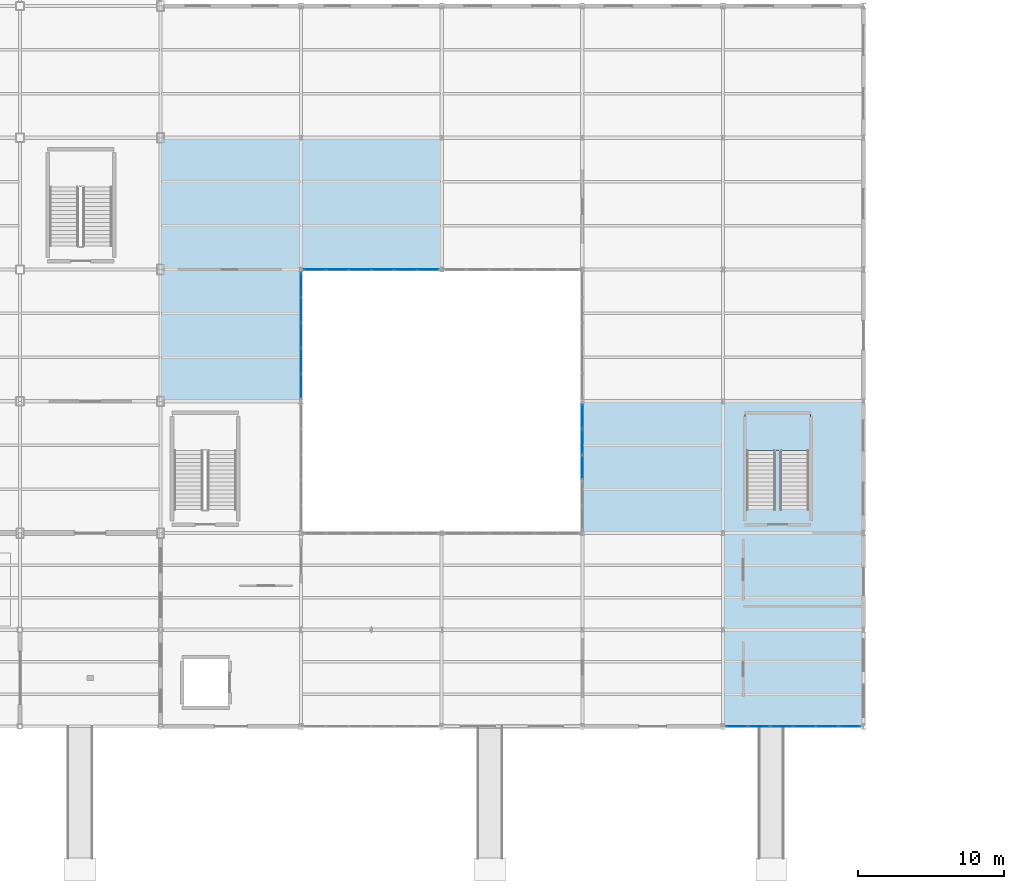
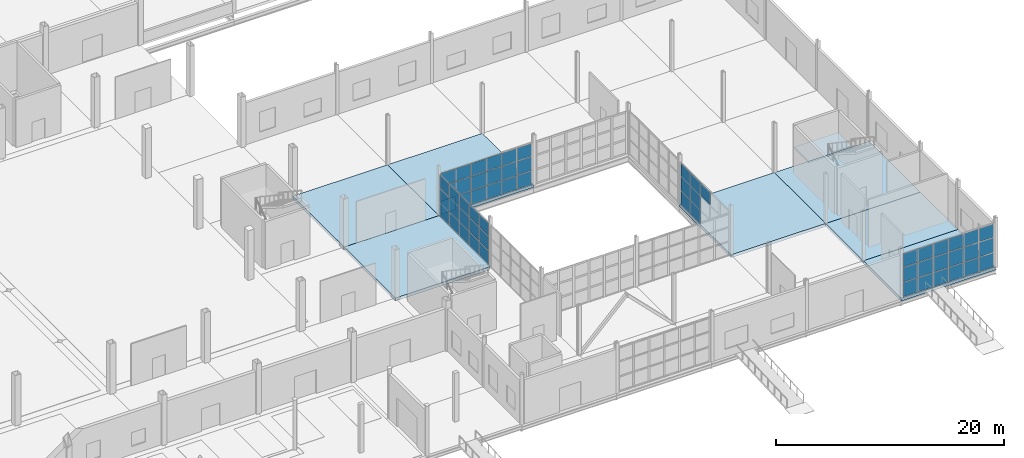
# One storey, part 52 of 85: 58 plates, 8 slabs, 5 elements without a shape of their own.
"""IFC4 building model written with IfcOpenShell, lengths in metres."""

from ifc_helpers import new_model, si_unit, direction, frame, origin, origin_2d, place, context, subcontext, project, spatial, polyline, rectangle, outline, extrude, material, layer, layer_set, type_object, element, aggregate, save


model = new_model("IFC4")

# Units and contexts
model_context = context("Model", 3, precision=1e-05, world=origin(), true_north=direction((0.0, 1.0)))
body_context = subcontext(model_context, "Body", "Model", "MODEL_VIEW")
ifc_project = project(units=[si_unit("LENGTHUNIT", "METRE"), si_unit("AREAUNIT", "SQUARE_METRE"), si_unit("VOLUMEUNIT", "CUBIC_METRE"), si_unit("PLANEANGLEUNIT", "RADIAN"), si_unit("MASSUNIT", "GRAM", prefix="KILO")], contexts=[model_context])

# Site, building, storey
site_placement = place(None, origin())
site = spatial("IfcSite", under=ifc_project, at=site_placement, CompositionType="ELEMENT")
building_placement = place(site_placement, origin())
building = spatial("IfcBuilding", under=site, at=building_placement, Name="Zarnetskaya Central Station", CompositionType="ELEMENT")
storey_placement = place(building_placement, origin())
storey = spatial("IfcBuildingStorey", under=building, at=storey_placement, Name="L00", CompositionType="ELEMENT", Elevation=0.0)

# Curtain wall, plates
ifc_material_1 = material(Name="Low-E insulated glass", Category="glass")
ifc_layer_1 = layer(ifc_material_1, 0.172119140625, Name="Low-E insulated glass", Category="glass")
ifc_layer_set_1 = layer_set([ifc_layer_1], Name="Low-E insulated glass")
curtain_wall_type = type_object("IfcCurtainWallType", Name="CW-SYS-04", PredefinedType="USERDEFINED", material=ifc_layer_set_1)
curtain_wall_1_placement = place(storey_placement, origin())
curtain_wall_1 = element("IfcCurtainWall", 1, at=curtain_wall_1_placement, inside=storey, type_object=curtain_wall_type, Name="Curtain wall CW-L00-100", ObjectType="CURTAIN WALL", PredefinedType="USERDEFINED")
ifc_layer_2 = layer(ifc_material_1, 0.028076171875, Name="Low-E insulated glass", Category="glass")
ifc_layer_set_2 = layer_set([ifc_layer_2], Name="Low-E insulated glass")
plate_type_1 = type_object("IfcPlateType", Name="CW-PAN-28", PredefinedType="CURTAIN_PANEL", material=ifc_layer_set_2)
plate_1_placement = place(storey_placement, frame((171.85498046875, 0.0, 0.080078125), z_axis=(0.0, 0.0, 1.0), x_axis=(-1.0, 0.0, 0.0)))
plate_1 = element("IfcPlate", 2, at=plate_1_placement, type_object=plate_type_1, Name="CW-15 panel 1.1", PredefinedType="CURTAIN_PANEL", context=body_context, shape_type="SweptSolid", body=[
    extrude(rectangle(XDim=1.429931640625, YDim=0.028076171875, at=origin_2d()), origin(), (0.0, 0.0, 1.0), 1.498046875),
])
plate_2_placement = place(storey_placement, frame((171.85498046875, 0.0, 1.657958984375), z_axis=(0.0, 0.0, 1.0), x_axis=(-1.0, 0.0, 0.0)))
plate_2 = element("IfcPlate", 3, at=plate_2_placement, type_object=plate_type_1, Name="CW-15 panel 1.2", PredefinedType="CURTAIN_PANEL", context=body_context, shape_type="SweptSolid", body=[
    extrude(rectangle(XDim=1.429931640625, YDim=0.028076171875, at=origin_2d()), origin(), (0.0, 0.0, 1.0), 1.5390625),
])
plate_3_placement = place(storey_placement, frame((171.85498046875, 0.0, 3.27685546875), z_axis=(0.0, 0.0, 1.0), x_axis=(-1.0, 0.0, 0.0)))
plate_3 = element("IfcPlate", 4, at=plate_3_placement, type_object=plate_type_1, Name="CW-15 panel 1.3", PredefinedType="CURTAIN_PANEL", context=body_context, shape_type="SweptSolid", body=[
    extrude(rectangle(XDim=1.429931640625, YDim=0.028076171875, at=origin_2d()), origin(), (0.0, 0.0, 1.0), 1.403076171875),
])
plate_4_placement = place(storey_placement, frame((170.324951171875, 0.0, 0.080078125), z_axis=(0.0, 0.0, 1.0), x_axis=(-1.0, 0.0, 0.0)))
plate_4 = element("IfcPlate", 5, at=plate_4_placement, type_object=plate_type_1, Name="CW-15 panel 2.1", PredefinedType="CURTAIN_PANEL", context=body_context, shape_type="SweptSolid", body=[
    extrude(rectangle(XDim=1.469970703125, YDim=0.028076171875, at=origin_2d()), origin(), (0.0, 0.0, 1.0), 1.498046875),
])
plate_5_placement = place(storey_placement, frame((170.324951171875, 0.0, 1.657958984375), z_axis=(0.0, 0.0, 1.0), x_axis=(-1.0, 0.0, 0.0)))
plate_5 = element("IfcPlate", 6, at=plate_5_placement, type_object=plate_type_1, Name="CW-15 panel 2.2", PredefinedType="CURTAIN_PANEL", context=body_context, shape_type="SweptSolid", body=[
    extrude(rectangle(XDim=1.469970703125, YDim=0.028076171875, at=origin_2d()), origin(), (0.0, 0.0, 1.0), 1.5390625),
])
plate_6_placement = place(storey_placement, frame((170.324951171875, 0.0, 3.27685546875), z_axis=(0.0, 0.0, 1.0), x_axis=(-1.0, 0.0, 0.0)))
plate_6 = element("IfcPlate", 7, at=plate_6_placement, type_object=plate_type_1, Name="CW-15 panel 2.3", PredefinedType="CURTAIN_PANEL", context=body_context, shape_type="SweptSolid", body=[
    extrude(rectangle(XDim=1.469970703125, YDim=0.028076171875, at=origin_2d()), origin(), (0.0, 0.0, 1.0), 1.403076171875),
])
plate_7_placement = place(storey_placement, frame((168.77490234375, 0.0, 0.080078125), z_axis=(0.0, 0.0, 1.0), x_axis=(-1.0, 0.0, 0.0)))
plate_7 = element("IfcPlate", 8, at=plate_7_placement, type_object=plate_type_1, Name="CW-15 panel 3.1", PredefinedType="CURTAIN_PANEL", context=body_context, shape_type="SweptSolid", body=[
    extrude(rectangle(XDim=1.469970703125, YDim=0.028076171875, at=origin_2d()), origin(), (0.0, 0.0, 1.0), 1.498046875),
])
plate_8_placement = place(storey_placement, frame((168.77490234375, 0.0, 1.657958984375), z_axis=(0.0, 0.0, 1.0), x_axis=(-1.0, 0.0, 0.0)))
plate_8 = element("IfcPlate", 9, at=plate_8_placement, type_object=plate_type_1, Name="CW-15 panel 3.2", PredefinedType="CURTAIN_PANEL", context=body_context, shape_type="SweptSolid", body=[
    extrude(rectangle(XDim=1.469970703125, YDim=0.028076171875, at=origin_2d()), origin(), (0.0, 0.0, 1.0), 1.5390625),
])
plate_9_placement = place(storey_placement, frame((168.77490234375, 0.0, 3.27685546875), z_axis=(0.0, 0.0, 1.0), x_axis=(-1.0, 0.0, 0.0)))
plate_9 = element("IfcPlate", 10, at=plate_9_placement, type_object=plate_type_1, Name="CW-15 panel 3.3", PredefinedType="CURTAIN_PANEL", context=body_context, shape_type="SweptSolid", body=[
    extrude(rectangle(XDim=1.469970703125, YDim=0.028076171875, at=origin_2d()), origin(), (0.0, 0.0, 1.0), 1.403076171875),
])
plate_10_placement = place(storey_placement, frame((167.22509765625, 0.0, 0.080078125), z_axis=(0.0, 0.0, 1.0), x_axis=(-1.0, 0.0, 0.0)))
plate_10 = element("IfcPlate", 11, at=plate_10_placement, type_object=plate_type_1, Name="CW-15 panel 4.1", PredefinedType="CURTAIN_PANEL", context=body_context, shape_type="SweptSolid", body=[
    extrude(rectangle(XDim=1.469970703125, YDim=0.028076171875, at=origin_2d()), origin(), (0.0, 0.0, 1.0), 1.498046875),
])
plate_11_placement = place(storey_placement, frame((167.22509765625, 0.0, 1.657958984375), z_axis=(0.0, 0.0, 1.0), x_axis=(-1.0, 0.0, 0.0)))
plate_11 = element("IfcPlate", 12, at=plate_11_placement, type_object=plate_type_1, Name="CW-15 panel 4.2", PredefinedType="CURTAIN_PANEL", context=body_context, shape_type="SweptSolid", body=[
    extrude(rectangle(XDim=1.469970703125, YDim=0.028076171875, at=origin_2d()), origin(), (0.0, 0.0, 1.0), 1.5390625),
])
plate_12_placement = place(storey_placement, frame((167.22509765625, 0.0, 3.27685546875), z_axis=(0.0, 0.0, 1.0), x_axis=(-1.0, 0.0, 0.0)))
plate_12 = element("IfcPlate", 13, at=plate_12_placement, type_object=plate_type_1, Name="CW-15 panel 4.3", PredefinedType="CURTAIN_PANEL", context=body_context, shape_type="SweptSolid", body=[
    extrude(rectangle(XDim=1.469970703125, YDim=0.028076171875, at=origin_2d()), origin(), (0.0, 0.0, 1.0), 1.403076171875),
])
plate_13_placement = place(storey_placement, frame((165.675048828125, 0.0, 0.080078125), z_axis=(0.0, 0.0, 1.0), x_axis=(-1.0, 0.0, 0.0)))
plate_13 = element("IfcPlate", 14, at=plate_13_placement, type_object=plate_type_1, Name="CW-15 panel 5.1", PredefinedType="CURTAIN_PANEL", context=body_context, shape_type="SweptSolid", body=[
    extrude(rectangle(XDim=1.469970703125, YDim=0.028076171875, at=origin_2d()), origin(), (0.0, 0.0, 1.0), 1.498046875),
])
plate_14_placement = place(storey_placement, frame((165.675048828125, 0.0, 1.657958984375), z_axis=(0.0, 0.0, 1.0), x_axis=(-1.0, 0.0, 0.0)))
plate_14 = element("IfcPlate", 15, at=plate_14_placement, type_object=plate_type_1, Name="CW-15 panel 5.2", PredefinedType="CURTAIN_PANEL", context=body_context, shape_type="SweptSolid", body=[
    extrude(rectangle(XDim=1.469970703125, YDim=0.028076171875, at=origin_2d()), origin(), (0.0, 0.0, 1.0), 1.5390625),
])
plate_15_placement = place(storey_placement, frame((165.675048828125, 0.0, 3.27685546875), z_axis=(0.0, 0.0, 1.0), x_axis=(-1.0, 0.0, 0.0)))
plate_15 = element("IfcPlate", 16, at=plate_15_placement, type_object=plate_type_1, Name="CW-15 panel 5.3", PredefinedType="CURTAIN_PANEL", context=body_context, shape_type="SweptSolid", body=[
    extrude(rectangle(XDim=1.469970703125, YDim=0.028076171875, at=origin_2d()), origin(), (0.0, 0.0, 1.0), 1.403076171875),
])
plate_16_placement = place(storey_placement, frame((164.14501953125, 0.0, 0.080078125), z_axis=(0.0, 0.0, 1.0), x_axis=(-1.0, 0.0, 0.0)))
plate_16 = element("IfcPlate", 17, at=plate_16_placement, type_object=plate_type_1, Name="CW-15 panel 6.1", PredefinedType="CURTAIN_PANEL", context=body_context, shape_type="SweptSolid", body=[
    extrude(rectangle(XDim=1.429931640625, YDim=0.028076171875, at=origin_2d()), origin(), (0.0, 0.0, 1.0), 1.498046875),
])
plate_17_placement = place(storey_placement, frame((164.14501953125, 0.0, 1.657958984375), z_axis=(0.0, 0.0, 1.0), x_axis=(-1.0, 0.0, 0.0)))
plate_17 = element("IfcPlate", 18, at=plate_17_placement, type_object=plate_type_1, Name="CW-15 panel 6.2", PredefinedType="CURTAIN_PANEL", context=body_context, shape_type="SweptSolid", body=[
    extrude(rectangle(XDim=1.429931640625, YDim=0.028076171875, at=origin_2d()), origin(), (0.0, 0.0, 1.0), 1.5390625),
])
plate_18_placement = place(storey_placement, frame((164.14501953125, 0.0, 3.27685546875), z_axis=(0.0, 0.0, 1.0), x_axis=(-1.0, 0.0, 0.0)))
plate_18 = element("IfcPlate", 19, at=plate_18_placement, type_object=plate_type_1, Name="CW-15 panel 6.3", PredefinedType="CURTAIN_PANEL", context=body_context, shape_type="SweptSolid", body=[
    extrude(rectangle(XDim=1.429931640625, YDim=0.028076171875, at=origin_2d()), origin(), (0.0, 0.0, 1.0), 1.403076171875),
])
aggregate(curtain_wall_1, [plate_1, plate_2, plate_3, plate_4, plate_5, plate_6, plate_7, plate_8, plate_9, plate_10, plate_11, plate_12, plate_13, plate_14, plate_15, plate_16, plate_17, plate_18])

curtain_wall_2_placement = place(storey_placement, origin())
curtain_wall_2 = element("IfcCurtainWall", 20, at=curtain_wall_2_placement, inside=storey, type_object=curtain_wall_type, Name="Curtain wall CW-L00-107", ObjectType="CURTAIN WALL", PredefinedType="USERDEFINED")
ifc_layer_3 = layer(ifc_material_1, 0.035888671875, Name="Low-E insulated glass", Category="glass")
ifc_layer_set_3 = layer_set([ifc_layer_3], Name="Low-E insulated glass")
plate_type_2 = type_object("IfcPlateType", Name="CW-PAN-36", PredefinedType="CURTAIN_PANEL", material=ifc_layer_set_3)
plate_19_placement = place(storey_placement, frame((143.0576171875, 31.199951171875, 0.06982421875), z_axis=(0.0, 0.0, 1.0), x_axis=(-1.0, 0.0, 0.0)))
plate_19 = element("IfcPlate", 21, at=plate_19_placement, type_object=plate_type_2, Name="CW-15 panel 1.1", PredefinedType="CURTAIN_PANEL", context=body_context, shape_type="SweptSolid", body=[
    extrude(rectangle(XDim=1.445068359375, YDim=0.035888671875, at=origin_2d()), origin(), (0.0, 0.0, 1.0), 1.431884765625),
])
plate_20_placement = place(storey_placement, frame((143.0576171875, 31.199951171875, 1.57177734375), z_axis=(0.0, 0.0, 1.0), x_axis=(-1.0, 0.0, 0.0)))
plate_20 = element("IfcPlate", 22, at=plate_20_placement, type_object=plate_type_2, Name="CW-15 panel 1.2", PredefinedType="CURTAIN_PANEL", context=body_context, shape_type="SweptSolid", body=[
    extrude(rectangle(XDim=1.445068359375, YDim=0.035888671875, at=origin_2d()), origin(), (0.0, 0.0, 1.0), 1.467041015625),
])
plate_21_placement = place(storey_placement, frame((143.0576171875, 31.199951171875, 3.10888671875), z_axis=(0.0, 0.0, 1.0), x_axis=(-1.0, 0.0, 0.0)))
plate_21 = element("IfcPlate", 23, at=plate_21_placement, type_object=plate_type_2, Name="CW-15 panel 1.3", PredefinedType="CURTAIN_PANEL", context=body_context, shape_type="SweptSolid", body=[
    extrude(rectangle(XDim=1.445068359375, YDim=0.035888671875, at=origin_2d()), origin(), (0.0, 0.0, 1.0), 1.341064453125),
])
plate_22_placement = place(storey_placement, frame((141.52490234375, 31.199951171875, 0.06982421875), z_axis=(0.0, 0.0, 1.0), x_axis=(-1.0, 0.0, 0.0)))
plate_22 = element("IfcPlate", 24, at=plate_22_placement, type_object=plate_type_2, Name="CW-15 panel 2.1", PredefinedType="CURTAIN_PANEL", context=body_context, shape_type="SweptSolid", body=[
    extrude(rectangle(XDim=1.47998046875, YDim=0.035888671875, at=origin_2d()), origin(), (0.0, 0.0, 1.0), 1.431884765625),
])
plate_23_placement = place(storey_placement, frame((141.52490234375, 31.199951171875, 1.57177734375), z_axis=(0.0, 0.0, 1.0), x_axis=(-1.0, 0.0, 0.0)))
plate_23 = element("IfcPlate", 25, at=plate_23_placement, type_object=plate_type_2, Name="CW-15 panel 2.2", PredefinedType="CURTAIN_PANEL", context=body_context, shape_type="SweptSolid", body=[
    extrude(rectangle(XDim=1.47998046875, YDim=0.035888671875, at=origin_2d()), origin(), (0.0, 0.0, 1.0), 1.467041015625),
])
plate_24_placement = place(storey_placement, frame((141.52490234375, 31.199951171875, 3.10888671875), z_axis=(0.0, 0.0, 1.0), x_axis=(-1.0, 0.0, 0.0)))
plate_24 = element("IfcPlate", 26, at=plate_24_placement, type_object=plate_type_2, Name="CW-15 panel 2.3", PredefinedType="CURTAIN_PANEL", context=body_context, shape_type="SweptSolid", body=[
    extrude(rectangle(XDim=1.47998046875, YDim=0.035888671875, at=origin_2d()), origin(), (0.0, 0.0, 1.0), 1.341064453125),
])
plate_25_placement = place(storey_placement, frame((139.97509765625, 31.199951171875, 0.06982421875), z_axis=(0.0, 0.0, 1.0), x_axis=(-1.0, 0.0, 0.0)))
plate_25 = element("IfcPlate", 27, at=plate_25_placement, type_object=plate_type_2, Name="CW-15 panel 3.1", PredefinedType="CURTAIN_PANEL", context=body_context, shape_type="SweptSolid", body=[
    extrude(rectangle(XDim=1.47998046875, YDim=0.035888671875, at=origin_2d()), origin(), (0.0, 0.0, 1.0), 1.431884765625),
])
plate_26_placement = place(storey_placement, frame((139.97509765625, 31.199951171875, 1.57177734375), z_axis=(0.0, 0.0, 1.0), x_axis=(-1.0, 0.0, 0.0)))
plate_26 = element("IfcPlate", 28, at=plate_26_placement, type_object=plate_type_2, Name="CW-15 panel 3.2", PredefinedType="CURTAIN_PANEL", context=body_context, shape_type="SweptSolid", body=[
    extrude(rectangle(XDim=1.47998046875, YDim=0.035888671875, at=origin_2d()), origin(), (0.0, 0.0, 1.0), 1.467041015625),
])
plate_27_placement = place(storey_placement, frame((139.97509765625, 31.199951171875, 3.10888671875), z_axis=(0.0, 0.0, 1.0), x_axis=(-1.0, 0.0, 0.0)))
plate_27 = element("IfcPlate", 29, at=plate_27_placement, type_object=plate_type_2, Name="CW-15 panel 3.3", PredefinedType="CURTAIN_PANEL", context=body_context, shape_type="SweptSolid", body=[
    extrude(rectangle(XDim=1.47998046875, YDim=0.035888671875, at=origin_2d()), origin(), (0.0, 0.0, 1.0), 1.341064453125),
])
plate_28_placement = place(storey_placement, frame((138.425048828125, 31.199951171875, 0.06982421875), z_axis=(0.0, 0.0, 1.0), x_axis=(-1.0, 0.0, 0.0)))
plate_28 = element("IfcPlate", 30, at=plate_28_placement, type_object=plate_type_2, Name="CW-15 panel 4.1", PredefinedType="CURTAIN_PANEL", context=body_context, shape_type="SweptSolid", body=[
    extrude(rectangle(XDim=1.47998046875, YDim=0.035888671875, at=origin_2d()), origin(), (0.0, 0.0, 1.0), 1.431884765625),
])
plate_29_placement = place(storey_placement, frame((138.425048828125, 31.199951171875, 1.57177734375), z_axis=(0.0, 0.0, 1.0), x_axis=(-1.0, 0.0, 0.0)))
plate_29 = element("IfcPlate", 31, at=plate_29_placement, type_object=plate_type_2, Name="CW-15 panel 4.2", PredefinedType="CURTAIN_PANEL", context=body_context, shape_type="SweptSolid", body=[
    extrude(rectangle(XDim=1.47998046875, YDim=0.035888671875, at=origin_2d()), origin(), (0.0, 0.0, 1.0), 1.467041015625),
])
plate_30_placement = place(storey_placement, frame((138.425048828125, 31.199951171875, 3.10888671875), z_axis=(0.0, 0.0, 1.0), x_axis=(-1.0, 0.0, 0.0)))
plate_30 = element("IfcPlate", 32, at=plate_30_placement, type_object=plate_type_2, Name="CW-15 panel 4.3", PredefinedType="CURTAIN_PANEL", context=body_context, shape_type="SweptSolid", body=[
    extrude(rectangle(XDim=1.47998046875, YDim=0.035888671875, at=origin_2d()), origin(), (0.0, 0.0, 1.0), 1.341064453125),
])
plate_31_placement = place(storey_placement, frame((136.875, 31.199951171875, 0.06982421875), z_axis=(0.0, 0.0, 1.0), x_axis=(-1.0, 0.0, 0.0)))
plate_31 = element("IfcPlate", 33, at=plate_31_placement, type_object=plate_type_2, Name="CW-15 panel 5.1", PredefinedType="CURTAIN_PANEL", context=body_context, shape_type="SweptSolid", body=[
    extrude(rectangle(XDim=1.47998046875, YDim=0.035888671875, at=origin_2d()), origin(), (0.0, 0.0, 1.0), 1.431884765625),
])
plate_32_placement = place(storey_placement, frame((136.875, 31.199951171875, 1.57177734375), z_axis=(0.0, 0.0, 1.0), x_axis=(-1.0, 0.0, 0.0)))
plate_32 = element("IfcPlate", 34, at=plate_32_placement, type_object=plate_type_2, Name="CW-15 panel 5.2", PredefinedType="CURTAIN_PANEL", context=body_context, shape_type="SweptSolid", body=[
    extrude(rectangle(XDim=1.47998046875, YDim=0.035888671875, at=origin_2d()), origin(), (0.0, 0.0, 1.0), 1.467041015625),
])
plate_33_placement = place(storey_placement, frame((136.875, 31.199951171875, 3.10888671875), z_axis=(0.0, 0.0, 1.0), x_axis=(-1.0, 0.0, 0.0)))
plate_33 = element("IfcPlate", 35, at=plate_33_placement, type_object=plate_type_2, Name="CW-15 panel 5.3", PredefinedType="CURTAIN_PANEL", context=body_context, shape_type="SweptSolid", body=[
    extrude(rectangle(XDim=1.47998046875, YDim=0.035888671875, at=origin_2d()), origin(), (0.0, 0.0, 1.0), 1.341064453125),
])
plate_34_placement = place(storey_placement, frame((135.342529296875, 31.199951171875, 0.06982421875), z_axis=(0.0, 0.0, 1.0), x_axis=(-1.0, 0.0, 0.0)))
plate_34 = element("IfcPlate", 36, at=plate_34_placement, type_object=plate_type_2, Name="CW-15 panel 6.1", PredefinedType="CURTAIN_PANEL", context=body_context, shape_type="SweptSolid", body=[
    extrude(rectangle(XDim=1.445068359375, YDim=0.035888671875, at=origin_2d()), origin(), (0.0, 0.0, 1.0), 1.431884765625),
])
plate_35_placement = place(storey_placement, frame((135.342529296875, 31.199951171875, 1.57177734375), z_axis=(0.0, 0.0, 1.0), x_axis=(-1.0, 0.0, 0.0)))
plate_35 = element("IfcPlate", 37, at=plate_35_placement, type_object=plate_type_2, Name="CW-15 panel 6.2", PredefinedType="CURTAIN_PANEL", context=body_context, shape_type="SweptSolid", body=[
    extrude(rectangle(XDim=1.445068359375, YDim=0.035888671875, at=origin_2d()), origin(), (0.0, 0.0, 1.0), 1.467041015625),
])
plate_36_placement = place(storey_placement, frame((135.342529296875, 31.199951171875, 3.10888671875), z_axis=(0.0, 0.0, 1.0), x_axis=(-1.0, 0.0, 0.0)))
plate_36 = element("IfcPlate", 38, at=plate_36_placement, type_object=plate_type_2, Name="CW-15 panel 6.3", PredefinedType="CURTAIN_PANEL", context=body_context, shape_type="SweptSolid", body=[
    extrude(rectangle(XDim=1.445068359375, YDim=0.035888671875, at=origin_2d()), origin(), (0.0, 0.0, 1.0), 1.341064453125),
])
aggregate(curtain_wall_2, [plate_19, plate_20, plate_21, plate_22, plate_23, plate_24, plate_25, plate_26, plate_27, plate_28, plate_29, plate_30, plate_31, plate_32, plate_33, plate_34, plate_35, plate_36])

curtain_wall_3_placement = place(storey_placement, origin())
curtain_wall_3 = element("IfcCurtainWall", 39, at=curtain_wall_3_placement, inside=storey, type_object=curtain_wall_type, Name="Curtain wall CW-L00-108", ObjectType="CURTAIN WALL", PredefinedType="USERDEFINED")
ifc_layer_4 = layer(ifc_material_1, 0.0400390625, Name="Low-E insulated glass", Category="glass")
ifc_layer_set_4 = layer_set([ifc_layer_4], Name="Low-E insulated glass")
plate_type_3 = type_object("IfcPlateType", Name="CW-PAN-40", PredefinedType="CURTAIN_PANEL", material=ifc_layer_set_4)
plate_37_placement = place(storey_placement, frame((134.39990234375, 30.159912109375, 0.080078125), z_axis=(0.0, 0.0, 1.0), x_axis=(0.0, -1.0, 0.0)))
plate_37 = element("IfcPlate", 40, at=plate_37_placement, type_object=plate_type_3, Name="CW-15 panel 1.1", PredefinedType="CURTAIN_PANEL", context=body_context, shape_type="SweptSolid", body=[
    extrude(rectangle(XDim=1.6201171875, YDim=0.0400390625, at=origin_2d()), origin(), (0.0, 0.0, 1.0), 1.43408203125),
])
plate_38_placement = place(storey_placement, frame((134.39990234375, 30.159912109375, 1.593994140625), z_axis=(0.0, 0.0, 1.0), x_axis=(0.0, -1.0, 0.0)))
plate_38 = element("IfcPlate", 41, at=plate_38_placement, type_object=plate_type_3, Name="CW-15 panel 1.2", PredefinedType="CURTAIN_PANEL", context=body_context, shape_type="SweptSolid", body=[
    extrude(rectangle(XDim=1.6201171875, YDim=0.0400390625, at=origin_2d()), origin(), (0.0, 0.0, 1.0), 1.47412109375),
])
plate_39_placement = place(storey_placement, frame((134.39990234375, 30.159912109375, 3.14794921875), z_axis=(0.0, 0.0, 1.0), x_axis=(0.0, -1.0, 0.0)))
plate_39 = element("IfcPlate", 42, at=plate_39_placement, type_object=plate_type_3, Name="CW-15 panel 1.3", PredefinedType="CURTAIN_PANEL", context=body_context, shape_type="SweptSolid", body=[
    extrude(rectangle(XDim=1.6201171875, YDim=0.0400390625, at=origin_2d()), origin(), (0.0, 0.0, 1.0), 1.342041015625),
])
plate_40_placement = place(storey_placement, frame((134.39990234375, 28.43994140625, 0.080078125), z_axis=(0.0, 0.0, 1.0), x_axis=(0.0, -1.0, 0.0)))
plate_40 = element("IfcPlate", 43, at=plate_40_placement, type_object=plate_type_3, Name="CW-15 panel 2.1", PredefinedType="CURTAIN_PANEL", context=body_context, shape_type="SweptSolid", body=[
    extrude(rectangle(XDim=1.659912109375, YDim=0.0400390625, at=origin_2d()), origin(), (0.0, 0.0, 1.0), 1.43408203125),
])
plate_41_placement = place(storey_placement, frame((134.39990234375, 28.43994140625, 1.593994140625), z_axis=(0.0, 0.0, 1.0), x_axis=(0.0, -1.0, 0.0)))
plate_41 = element("IfcPlate", 44, at=plate_41_placement, type_object=plate_type_3, Name="CW-15 panel 2.2", PredefinedType="CURTAIN_PANEL", context=body_context, shape_type="SweptSolid", body=[
    extrude(rectangle(XDim=1.659912109375, YDim=0.0400390625, at=origin_2d()), origin(), (0.0, 0.0, 1.0), 1.47412109375),
])
plate_42_placement = place(storey_placement, frame((134.39990234375, 28.43994140625, 3.14794921875), z_axis=(0.0, 0.0, 1.0), x_axis=(0.0, -1.0, 0.0)))
plate_42 = element("IfcPlate", 45, at=plate_42_placement, type_object=plate_type_3, Name="CW-15 panel 2.3", PredefinedType="CURTAIN_PANEL", context=body_context, shape_type="SweptSolid", body=[
    extrude(rectangle(XDim=1.659912109375, YDim=0.0400390625, at=origin_2d()), origin(), (0.0, 0.0, 1.0), 1.342041015625),
])
plate_43_placement = place(storey_placement, frame((134.39990234375, 26.699951171875, 0.080078125), z_axis=(0.0, 0.0, 1.0), x_axis=(0.0, -1.0, 0.0)))
plate_43 = element("IfcPlate", 46, at=plate_43_placement, type_object=plate_type_3, Name="CW-15 panel 3.1", PredefinedType="CURTAIN_PANEL", context=body_context, shape_type="SweptSolid", body=[
    extrude(rectangle(XDim=1.659912109375, YDim=0.0400390625, at=origin_2d()), origin(), (0.0, 0.0, 1.0), 1.43408203125),
])
plate_44_placement = place(storey_placement, frame((134.39990234375, 26.699951171875, 1.593994140625), z_axis=(0.0, 0.0, 1.0), x_axis=(0.0, -1.0, 0.0)))
plate_44 = element("IfcPlate", 47, at=plate_44_placement, type_object=plate_type_3, Name="CW-15 panel 3.2", PredefinedType="CURTAIN_PANEL", context=body_context, shape_type="SweptSolid", body=[
    extrude(rectangle(XDim=1.659912109375, YDim=0.0400390625, at=origin_2d()), origin(), (0.0, 0.0, 1.0), 1.47412109375),
])
plate_45_placement = place(storey_placement, frame((134.39990234375, 26.699951171875, 3.14794921875), z_axis=(0.0, 0.0, 1.0), x_axis=(0.0, -1.0, 0.0)))
plate_45 = element("IfcPlate", 48, at=plate_45_placement, type_object=plate_type_3, Name="CW-15 panel 3.3", PredefinedType="CURTAIN_PANEL", context=body_context, shape_type="SweptSolid", body=[
    extrude(rectangle(XDim=1.659912109375, YDim=0.0400390625, at=origin_2d()), origin(), (0.0, 0.0, 1.0), 1.342041015625),
])
plate_46_placement = place(storey_placement, frame((134.39990234375, 24.9599609375, 0.080078125), z_axis=(0.0, 0.0, 1.0), x_axis=(0.0, -1.0, 0.0)))
plate_46 = element("IfcPlate", 49, at=plate_46_placement, type_object=plate_type_3, Name="CW-15 panel 4.1", PredefinedType="CURTAIN_PANEL", context=body_context, shape_type="SweptSolid", body=[
    extrude(rectangle(XDim=1.659912109375, YDim=0.0400390625, at=origin_2d()), origin(), (0.0, 0.0, 1.0), 1.43408203125),
])
plate_47_placement = place(storey_placement, frame((134.39990234375, 24.9599609375, 1.593994140625), z_axis=(0.0, 0.0, 1.0), x_axis=(0.0, -1.0, 0.0)))
plate_47 = element("IfcPlate", 50, at=plate_47_placement, type_object=plate_type_3, Name="CW-15 panel 4.2", PredefinedType="CURTAIN_PANEL", context=body_context, shape_type="SweptSolid", body=[
    extrude(rectangle(XDim=1.659912109375, YDim=0.0400390625, at=origin_2d()), origin(), (0.0, 0.0, 1.0), 1.47412109375),
])
plate_48_placement = place(storey_placement, frame((134.39990234375, 24.9599609375, 3.14794921875), z_axis=(0.0, 0.0, 1.0), x_axis=(0.0, -1.0, 0.0)))
plate_48 = element("IfcPlate", 51, at=plate_48_placement, type_object=plate_type_3, Name="CW-15 panel 4.3", PredefinedType="CURTAIN_PANEL", context=body_context, shape_type="SweptSolid", body=[
    extrude(rectangle(XDim=1.659912109375, YDim=0.0400390625, at=origin_2d()), origin(), (0.0, 0.0, 1.0), 1.342041015625),
])
plate_49_placement = place(storey_placement, frame((134.39990234375, 23.239990234375, 0.080078125), z_axis=(0.0, 0.0, 1.0), x_axis=(0.0, -1.0, 0.0)))
plate_49 = element("IfcPlate", 52, at=plate_49_placement, type_object=plate_type_3, Name="CW-15 panel 5.1", PredefinedType="CURTAIN_PANEL", context=body_context, shape_type="SweptSolid", body=[
    extrude(rectangle(XDim=1.6201171875, YDim=0.0400390625, at=origin_2d()), origin(), (0.0, 0.0, 1.0), 1.43408203125),
])
plate_50_placement = place(storey_placement, frame((134.39990234375, 23.239990234375, 1.593994140625), z_axis=(0.0, 0.0, 1.0), x_axis=(0.0, -1.0, 0.0)))
plate_50 = element("IfcPlate", 53, at=plate_50_placement, type_object=plate_type_3, Name="CW-15 panel 5.2", PredefinedType="CURTAIN_PANEL", context=body_context, shape_type="SweptSolid", body=[
    extrude(rectangle(XDim=1.6201171875, YDim=0.0400390625, at=origin_2d()), origin(), (0.0, 0.0, 1.0), 1.47412109375),
])
plate_51_placement = place(storey_placement, frame((134.39990234375, 23.239990234375, 3.14794921875), z_axis=(0.0, 0.0, 1.0), x_axis=(0.0, -1.0, 0.0)))
plate_51 = element("IfcPlate", 54, at=plate_51_placement, type_object=plate_type_3, Name="CW-15 panel 5.3", PredefinedType="CURTAIN_PANEL", context=body_context, shape_type="SweptSolid", body=[
    extrude(rectangle(XDim=1.6201171875, YDim=0.0400390625, at=origin_2d()), origin(), (0.0, 0.0, 1.0), 1.342041015625),
])
aggregate(curtain_wall_3, [plate_37, plate_38, plate_39, plate_40, plate_41, plate_42, plate_43, plate_44, plate_45, plate_46, plate_47, plate_48, plate_49, plate_50, plate_51])

curtain_wall_4_placement = place(storey_placement, origin())
curtain_wall_4 = element("IfcCurtainWall", 55, at=curtain_wall_4_placement, inside=storey, type_object=curtain_wall_type, Name="Curtain wall CW-L00-104", ObjectType="CURTAIN WALL", PredefinedType="USERDEFINED")
ifc_layer_5 = layer(ifc_material_1, 0.0439453125, Name="Low-E insulated glass", Category="glass")
ifc_layer_set_5 = layer_set([ifc_layer_5], Name="Low-E insulated glass")
plate_type_4 = type_object("IfcPlateType", Name="CW-PAN-44", PredefinedType="CURTAIN_PANEL", material=ifc_layer_set_5)
plate_52_placement = place(storey_placement, frame((153.60009765625, 17.699951171875, 3.14794921875), z_axis=(0.0, 0.0, 1.0), x_axis=(0.0, 1.0, 0.0)))
plate_52 = element("IfcPlate", 56, at=plate_52_placement, type_object=plate_type_4, Name="CW-15 panel 3.3", PredefinedType="CURTAIN_PANEL", context=body_context, shape_type="SweptSolid", body=[
    extrude(rectangle(XDim=1.659912109375, YDim=0.0439453125, at=origin_2d()), origin(), (0.0, 0.0, 1.0), 1.342041015625),
])
plate_53_placement = place(storey_placement, frame((153.60009765625, 19.43994140625, 0.080078125), z_axis=(0.0, 0.0, 1.0), x_axis=(0.0, 1.0, 0.0)))
plate_53 = element("IfcPlate", 57, at=plate_53_placement, type_object=plate_type_4, Name="CW-15 panel 4.1", PredefinedType="CURTAIN_PANEL", context=body_context, shape_type="SweptSolid", body=[
    extrude(rectangle(XDim=1.659912109375, YDim=0.0439453125, at=origin_2d()), origin(), (0.0, 0.0, 1.0), 1.43408203125),
])
plate_54_placement = place(storey_placement, frame((153.60009765625, 19.43994140625, 1.593994140625), z_axis=(0.0, 0.0, 1.0), x_axis=(0.0, 1.0, 0.0)))
plate_54 = element("IfcPlate", 58, at=plate_54_placement, type_object=plate_type_4, Name="CW-15 panel 4.2", PredefinedType="CURTAIN_PANEL", context=body_context, shape_type="SweptSolid", body=[
    extrude(rectangle(XDim=1.659912109375, YDim=0.0439453125, at=origin_2d()), origin(), (0.0, 0.0, 1.0), 1.47412109375),
])
plate_55_placement = place(storey_placement, frame((153.60009765625, 19.43994140625, 3.14794921875), z_axis=(0.0, 0.0, 1.0), x_axis=(0.0, 1.0, 0.0)))
plate_55 = element("IfcPlate", 59, at=plate_55_placement, type_object=plate_type_4, Name="CW-15 panel 4.3", PredefinedType="CURTAIN_PANEL", context=body_context, shape_type="SweptSolid", body=[
    extrude(rectangle(XDim=1.659912109375, YDim=0.0439453125, at=origin_2d()), origin(), (0.0, 0.0, 1.0), 1.342041015625),
])
plate_56_placement = place(storey_placement, frame((153.60009765625, 21.159912109375, 0.080078125), z_axis=(0.0, 0.0, 1.0), x_axis=(0.0, 1.0, 0.0)))
plate_56 = element("IfcPlate", 60, at=plate_56_placement, type_object=plate_type_4, Name="CW-15 panel 5.1", PredefinedType="CURTAIN_PANEL", context=body_context, shape_type="SweptSolid", body=[
    extrude(rectangle(XDim=1.6201171875, YDim=0.0439453125, at=origin_2d()), origin(), (0.0, 0.0, 1.0), 1.43408203125),
])
plate_57_placement = place(storey_placement, frame((153.60009765625, 21.159912109375, 1.593994140625), z_axis=(0.0, 0.0, 1.0), x_axis=(0.0, 1.0, 0.0)))
plate_57 = element("IfcPlate", 61, at=plate_57_placement, type_object=plate_type_4, Name="CW-15 panel 5.2", PredefinedType="CURTAIN_PANEL", context=body_context, shape_type="SweptSolid", body=[
    extrude(rectangle(XDim=1.6201171875, YDim=0.0439453125, at=origin_2d()), origin(), (0.0, 0.0, 1.0), 1.47412109375),
])
plate_58_placement = place(storey_placement, frame((153.60009765625, 21.159912109375, 3.14794921875), z_axis=(0.0, 0.0, 1.0), x_axis=(0.0, 1.0, 0.0)))
plate_58 = element("IfcPlate", 62, at=plate_58_placement, type_object=plate_type_4, Name="CW-15 panel 5.3", PredefinedType="CURTAIN_PANEL", context=body_context, shape_type="SweptSolid", body=[
    extrude(rectangle(XDim=1.6201171875, YDim=0.0439453125, at=origin_2d()), origin(), (0.0, 0.0, 1.0), 1.342041015625),
])
aggregate(curtain_wall_4, [plate_52, plate_53, plate_54, plate_55, plate_56, plate_57, plate_58])

# Slabs
ifc_material_2 = material(Name="Concrete C30/37", Category="concrete")
ifc_layer_6 = layer(ifc_material_2, 0.320068359375, Name="Concrete C30/37", Category="concrete")
ifc_layer_set_6 = layer_set([ifc_layer_6], Name="Concrete C30/37")
slab_type_1 = type_object("IfcSlabType", Name="SLAB-L00-320", PredefinedType="FLOOR", material=ifc_layer_set_6)
slab_1_placement = place(storey_placement, frame((0.0, 0.0, -0.320068359375)))
element("IfcSlab", 63, at=slab_1_placement, inside=storey, type_object=slab_type_1, Name="L00 slab P-Q/4-5", PredefinedType="FLOOR", context=body_context, shape_type="SweptSolid", body=[
    extrude(outline(polyline([(124.800048828125, 22.199951171875), (134.39990234375, 22.199951171875), (134.39990234375, 31.199951171875), (124.800048828125, 31.199951171875), (124.800048828125, 22.199951171875)])), origin(), (0.0, 0.0, 1.0), 0.320068359375),
])
slab_2_placement = place(storey_placement, frame((0.0, 0.0, -0.320068359375)))
element("IfcSlab", 64, at=slab_2_placement, inside=storey, type_object=slab_type_1, Name="L00 slab P-Q/5-6", PredefinedType="FLOOR", context=body_context, shape_type="SweptSolid", body=[
    extrude(outline(polyline([(124.800048828125, 31.199951171875), (134.39990234375, 31.199951171875), (134.39990234375, 40.199951171875), (124.800048828125, 40.199951171875), (124.800048828125, 31.199951171875)])), origin(), (0.0, 0.0, 1.0), 0.320068359375),
])
slab_3_placement = place(storey_placement, frame((0.0, 0.0, -0.320068359375)))
element("IfcSlab", 65, at=slab_3_placement, inside=storey, type_object=slab_type_1, Name="L00 slab Q-R/5-6", PredefinedType="FLOOR", context=body_context, shape_type="SweptSolid", body=[
    extrude(outline(polyline([(134.39990234375, 31.199951171875), (144.0, 31.199951171875), (144.0, 40.199951171875), (134.39990234375, 40.199951171875), (134.39990234375, 31.199951171875)])), origin(), (0.0, 0.0, 1.0), 0.320068359375),
])
slab_4_placement = place(storey_placement, frame((0.0, 0.0, -0.320068359375)))
element("IfcSlab", 66, at=slab_4_placement, inside=storey, type_object=slab_type_1, Name="L00 slab S-T/3-4", PredefinedType="FLOOR", context=body_context, shape_type="SweptSolid", body=[
    extrude(outline(polyline([(153.60009765625, 13.199951171875), (163.199951171875, 13.199951171875), (163.199951171875, 22.199951171875), (153.60009765625, 22.199951171875), (153.60009765625, 13.199951171875)])), origin(), (0.0, 0.0, 1.0), 0.320068359375),
])
slab_5_placement = place(storey_placement, frame((0.0, 0.0, -0.320068359375)))
element("IfcSlab", 67, at=slab_5_placement, inside=storey, type_object=slab_type_1, Name="L00 slab T-U/1-2", PredefinedType="FLOOR", context=body_context, shape_type="SweptSolid", body=[
    extrude(outline(polyline([(163.199951171875, 0.0), (172.800048828125, 0.0), (172.800048828125, 6.60009765625), (163.199951171875, 6.60009765625), (163.199951171875, 0.0)])), origin(), (0.0, 0.0, 1.0), 0.320068359375),
])
slab_6_placement = place(storey_placement, frame((0.0, 0.0, -0.320068359375)))
element("IfcSlab", 68, at=slab_6_placement, inside=storey, type_object=slab_type_1, Name="L00 slab T-U/2-3", PredefinedType="FLOOR", context=body_context, shape_type="SweptSolid", body=[
    extrude(outline(polyline([(163.199951171875, 6.60009765625), (172.800048828125, 6.60009765625), (172.800048828125, 13.199951171875), (163.199951171875, 13.199951171875), (163.199951171875, 6.60009765625)])), origin(), (0.0, 0.0, 1.0), 0.320068359375),
])
slab_7_placement = place(storey_placement, frame((0.0, 0.0, -0.320068359375)))
element("IfcSlab", 69, at=slab_7_placement, inside=storey, type_object=slab_type_1, Name="L00 slab T-U/3-4", PredefinedType="FLOOR", context=body_context, shape_type="SweptSolid", body=[
    extrude(outline(polyline([(163.199951171875, 13.199951171875), (172.800048828125, 13.199951171875), (172.800048828125, 22.199951171875), (163.199951171875, 22.199951171875), (163.199951171875, 13.199951171875)])), origin(), (0.0, 0.0, 1.0), 0.320068359375),
])

# Stair, slab
stair_type = type_object("IfcStairType", Name="STAIR-ASSY-10", PredefinedType="HALF_TURN_STAIR", material=ifc_material_2)
stair_placement = place(storey_placement, origin())
stair = element("IfcStair", 70, at=stair_placement, inside=storey, type_object=stair_type, Name="Exit Stair ST-V2 L00", PredefinedType="HALF_TURN_STAIR")
ifc_layer_7 = layer(ifc_material_2, 0.18505859375, Name="Concrete C30/37", Category="concrete")
ifc_layer_set_7 = layer_set([ifc_layer_7], Name="Concrete C30/37")
slab_type_2 = type_object("IfcSlabType", Name="SLAB-STAIR-LND", PredefinedType="LANDING", material=ifc_layer_set_7)
slab_8_placement = place(storey_placement, frame((0.0, 0.0, 2.514892578125)))
slab_8 = element("IfcSlab", 71, at=slab_8_placement, type_object=slab_type_2, Name="ST-08 landing 1", PredefinedType="LANDING", context=body_context, shape_type="SweptSolid", body=[
    extrude(outline(polyline([(164.719970703125, 18.844970703125), (169.179931640625, 18.844970703125), (169.179931640625, 21.3798828125), (164.719970703125, 21.3798828125), (164.719970703125, 18.844970703125)])), origin(), (0.0, 0.0, 1.0), 0.18505859375),
])
aggregate(stair, [slab_8])

save(model, "model.ifc")
